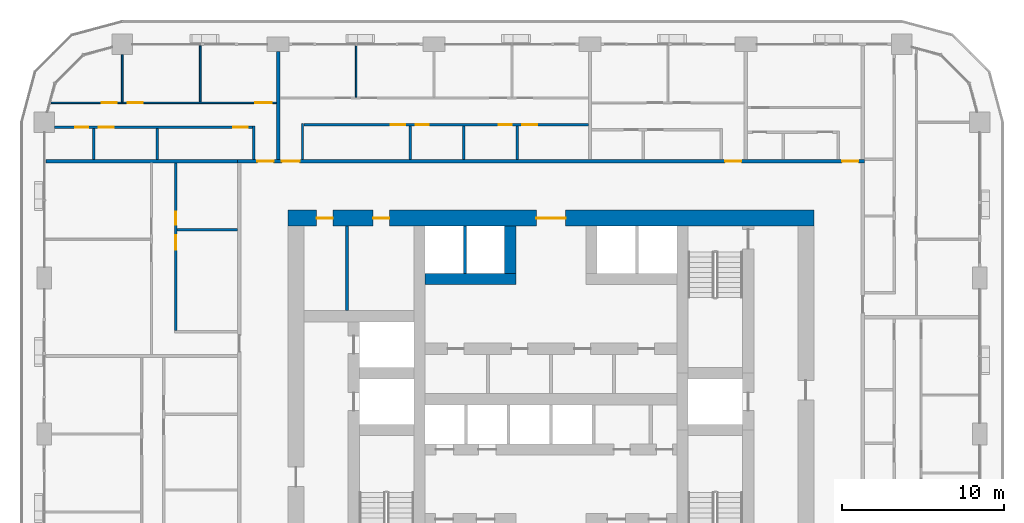
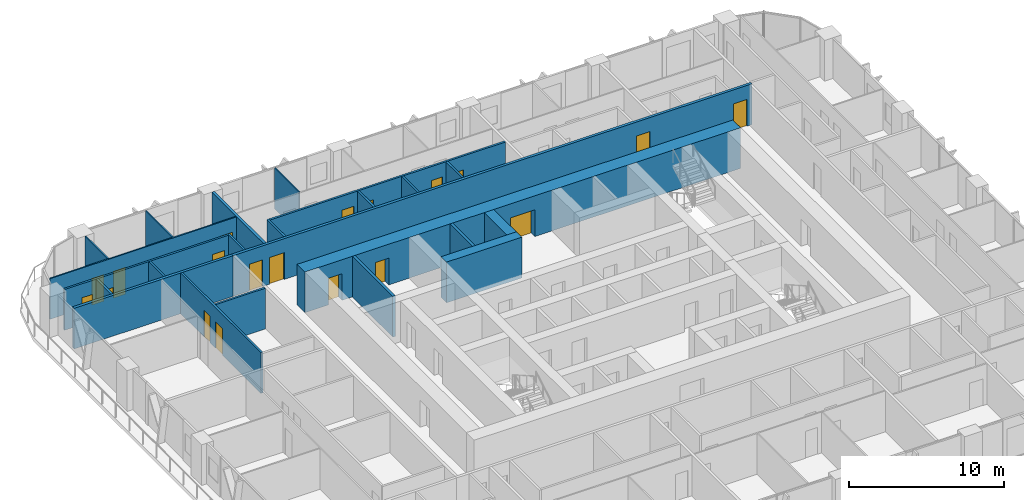
# One storey, part 13 of 21: 23 walls, 19 doors, 19 openings.
"""IFC4 building model written with IfcOpenShell, lengths in metres."""

from ifc_helpers import new_model, si_unit, direction, frame, frame_2d, origin, place, context, subcontext, project, spatial, rectangle, extrude, material, layer, layer_set, type_object, element, fill, save


model = new_model("IFC4")

# Units and contexts
model_context = context("Model", 3, precision=1e-05, world=origin(), true_north=direction((0.0, 1.0)))
body_context = subcontext(model_context, "Body", "Model", "MODEL_VIEW")
ifc_project = project(units=[si_unit("LENGTHUNIT", "METRE"), si_unit("AREAUNIT", "SQUARE_METRE"), si_unit("VOLUMEUNIT", "CUBIC_METRE"), si_unit("PLANEANGLEUNIT", "RADIAN"), si_unit("MASSUNIT", "GRAM", prefix="KILO")], contexts=[model_context])

# Site, building, storey
site_placement = place(None, origin())
site = spatial("IfcSite", under=ifc_project, at=site_placement, CompositionType="ELEMENT")
building_placement = place(site_placement, origin())
building = spatial("IfcBuilding", under=site, at=building_placement, Name="Madar Terraces", CompositionType="ELEMENT")
storey_placement = place(building_placement, frame((0.0, 0.0, 36.39990234375)))
storey = spatial("IfcBuildingStorey", under=building, at=storey_placement, Name="L08", CompositionType="ELEMENT", Elevation=36.39990234375)

# Walls
ifc_material_1 = material(Name="Concrete C80/95", Category="concrete")
ifc_layer_1 = layer(ifc_material_1, 0.699951171875)
ifc_layer_set_1 = layer_set([ifc_layer_1], Name="Concrete C80/95 (CIW1 RC wall 700)")
wall_type_1 = type_object("IfcWallType", Name="CIW1 RC wall 700", PredefinedType="SHEAR", material=ifc_layer_set_1)
wall_1_placement = place(storey_placement, frame((23.449951171875, 33.550048828125, 0.0), z_axis=(0.0, 0.0, 1.0), x_axis=(1.0, 0.0, 0.0)))
element("IfcWall", 1, at=wall_1_placement, inside=storey, type_object=wall_type_1, Name="CORE SHAFT WALL", PredefinedType="SHEAR", context=body_context, shape_type="SweptSolid", body=[
    extrude(rectangle(XDim=5.60009765625, YDim=0.699951171875, at=frame_2d((2.800048828125, 0.0))), origin(), (0.0, 0.0, 1.0), 3.2001953125),
])
wall_2_placement = place(storey_placement, frame((28.699951171875, 33.89990234375, 0.0), z_axis=(0.0, 0.0, 1.0), x_axis=(0.0, 1.0, 0.0)))
element("IfcWall", 2, at=wall_2_placement, inside=storey, type_object=wall_type_1, Name="CORE SHAFT WALL", PredefinedType="SHEAR", context=body_context, shape_type="SweptSolid", body=[
    extrude(rectangle(XDim=2.900146484375, YDim=0.699951171875, at=frame_2d((1.4501953125, 0.0))), origin(), (0.0, 0.0, 1.0), 3.2001953125),
])

# Wall, openings, doors
ifc_material_2 = material(Name="Concrete C80/95", Category="concrete")
ifc_layer_2 = layer(ifc_material_2, 1.0)
ifc_layer_set_2 = layer_set([ifc_layer_2], Name="Concrete C80/95 (CRW1 RC wall 1000)")
wall_type_2 = type_object("IfcWallType", Name="CRW1 RC wall 1000", PredefinedType="SHEAR", material=ifc_layer_set_2)
wall_3_placement = place(storey_placement, frame((15.0, 37.300048828125, 0.0), z_axis=(0.0, 0.0, 1.0), x_axis=(1.0, 0.0, 0.0)))
wall_3 = element("IfcWall", 3, at=wall_3_placement, inside=storey, type_object=wall_type_2, Name="CORE OUTER WALL", PredefinedType="SHEAR", context=body_context, shape_type="SweptSolid", body=[
    extrude(rectangle(XDim=32.39990234375, YDim=1.0, at=frame_2d((16.199951171875, 0.0))), origin(), (0.0, 0.0, 1.0), 3.2001953125),
])
opening_1_placement = place(wall_3_placement, frame((15.300048828125, 0.0, 0.0)))
opening_1 = element("IfcOpeningElement", 4, at=opening_1_placement, cuts=wall_3, Name="Opening KD1", PredefinedType="OPENING", context=body_context, shape_type="SweptSolid", body=[
    extrude(rectangle(XDim=1.800048828125, YDim=2.10009765625, at=frame_2d((0.89990234375, 1.050048828125))), frame((0.0, 0.510009765625, 0.0), z_axis=(0.0, -1.0, 0.0), x_axis=(1.0, 0.0, 0.0)), (0.0, 0.0, 1.0), 1.02001953125),
])
opening_2_placement = place(wall_3_placement, frame((1.766357421875, 0.0, 0.0)))
opening_2 = element("IfcOpeningElement", 5, at=opening_2_placement, cuts=wall_3, Name="Opening KD2", PredefinedType="OPENING", context=body_context, shape_type="SweptSolid", body=[
    extrude(rectangle(XDim=1.0, YDim=2.10009765625, at=frame_2d((0.5, 1.050048828125))), frame((0.0, 0.510009765625, 0.0), z_axis=(0.0, -1.0, 0.0), x_axis=(1.0, 0.0, 0.0)), (0.0, 0.0, 1.0), 1.02001953125),
])
opening_3_placement = place(wall_3_placement, frame((5.2412109375, 0.0, 0.0)))
opening_3 = element("IfcOpeningElement", 6, at=opening_3_placement, cuts=wall_3, Name="Opening KD2", PredefinedType="OPENING", context=body_context, shape_type="SweptSolid", body=[
    extrude(rectangle(XDim=1.0, YDim=2.10009765625, at=frame_2d((0.5, 1.050048828125))), frame((0.0, 0.510009765625, 0.0), z_axis=(0.0, -1.0, 0.0), x_axis=(1.0, 0.0, 0.0)), (0.0, 0.0, 1.0), 1.02001953125),
])
ifc_material_3 = material(Name="Steel door leaf", Category="steel")
door_type_1 = type_object("IfcDoorType", Name="Lobby door pair 1800 x 2100", OperationType="DOUBLE_DOOR_SINGLE_SWING", PredefinedType="DOOR", material=ifc_material_3)
door_1_placement = place(opening_1_placement, origin())
door_1 = element("IfcDoor", 7, at=door_1_placement, inside=storey, type_object=door_type_1, Name="LIFT LOBBY DOOR", OperationType="DOUBLE_DOOR_SINGLE_SWING", OverallHeight=2.10009765625, OverallWidth=1.800048828125, PredefinedType="DOOR", context=body_context, shape_type="SweptSolid", body=[
    extrude(rectangle(XDim=1.800048828125, YDim=2.10009765625, at=frame_2d((0.89990234375, 1.050048828125))), frame((0.0, 0.02490234375, 0.0), z_axis=(0.0, -1.0, 0.0), x_axis=(1.0, 0.0, 0.0)), (0.0, 0.0, 1.0), 0.050048828125),
])
fill(opening_1, door_1)
ifc_material_4 = material(Name="Steel door leaf", Category="steel")
door_type_2 = type_object("IfcDoorType", Name="Service room door 1000 x 2100", OperationType="NOTDEFINED", PredefinedType="DOOR", material=ifc_material_4)
door_2_placement = place(opening_2_placement, origin())
door_2 = element("IfcDoor", 8, at=door_2_placement, inside=storey, type_object=door_type_2, Name="SERVICE ROOM DOOR", OperationType="SINGLE_SWING_LEFT", OverallHeight=2.10009765625, OverallWidth=1.0, PredefinedType="DOOR", context=body_context, shape_type="SweptSolid", body=[
    extrude(rectangle(XDim=1.0, YDim=2.10009765625, at=frame_2d((0.5, 1.050048828125))), frame((0.0, 0.02490234375, 0.0), z_axis=(0.0, -1.0, 0.0), x_axis=(1.0, 0.0, 0.0)), (0.0, 0.0, 1.0), 0.050048828125),
])
fill(opening_2, door_2)
door_3_placement = place(opening_3_placement, origin())
door_3 = element("IfcDoor", 9, at=door_3_placement, inside=storey, type_object=door_type_2, Name="SERVICE ROOM DOOR", OperationType="SINGLE_SWING_RIGHT", OverallHeight=2.10009765625, OverallWidth=1.0, PredefinedType="DOOR", context=body_context, shape_type="SweptSolid", body=[
    extrude(rectangle(XDim=1.0, YDim=2.10009765625, at=frame_2d((0.5, 1.050048828125))), frame((0.0, 0.02490234375, 0.0), z_axis=(0.0, -1.0, 0.0), x_axis=(1.0, 0.0, 0.0)), (0.0, 0.0, 1.0), 0.050048828125),
])
fill(opening_3, door_3)

# Walls
ifc_material_5 = material(Name="Masonry blockwork", Category="masonry")
ifc_layer_3 = layer(ifc_material_5, 0.199951171875)
ifc_layer_set_3 = layer_set([ifc_layer_3], Name="Core partition 200 blockwork")
wall_type_3 = type_object("IfcWallType", Name="Core partition 200 blockwork", PredefinedType="PARTITIONING", material=ifc_layer_set_3)
wall_4_placement = place(storey_placement, frame((18.632568359375, 31.60009765625, 0.0), z_axis=(0.0, 0.0, 1.0), x_axis=(0.0, 1.0, 0.0)))
element("IfcWall", 10, at=wall_4_placement, inside=storey, type_object=wall_type_3, Name="SERVICE ROOM PARTITION", PredefinedType="PARTITIONING", context=body_context, shape_type="SweptSolid", body=[
    extrude(rectangle(XDim=5.199951171875, YDim=0.199951171875, at=frame_2d((2.60009765625, 0.0))), origin(), (0.0, 0.0, 1.0), 3.2001953125),
])
ifc_material_6 = material(Name="Concrete C40/50", Category="concrete")
ifc_layer_4 = layer(ifc_material_6, 0.199951171875)
ifc_layer_set_4 = layer_set([ifc_layer_4], Name="Core shaft dividing wall 200 C40/50")
wall_type_4 = type_object("IfcWallType", Name="Core shaft dividing wall 200 C40/50", PredefinedType="SOLIDWALL", material=ifc_layer_set_4)
wall_5_placement = place(storey_placement, frame((25.89990234375, 33.89990234375, 0.0), z_axis=(0.0, 0.0, 1.0), x_axis=(0.0, 1.0, 0.0)))
element("IfcWall", 11, at=wall_5_placement, inside=storey, type_object=wall_type_4, Name="SHAFT DIVIDING WALL", PredefinedType="SOLIDWALL", context=body_context, shape_type="SweptSolid", body=[
    extrude(rectangle(XDim=2.900146484375, YDim=0.199951171875, at=frame_2d((1.4501953125, 0.0))), origin(), (0.0, 0.0, 1.0), 3.2001953125),
])
ifc_material_7 = material(Name="Gypsum board on steel studs", Category="steel")
ifc_layer_5 = layer(ifc_material_7, 0.10009765625)
ifc_layer_set_5 = layer_set([ifc_layer_5], Name="Flat partition 100")
wall_type_5 = type_object("IfcWallType", Name="Flat partition 100", PredefinedType="PARTITIONING", material=ifc_layer_set_5)
wall_6_placement = place(storey_placement, frame((19.199951171875, 44.75, 0.0), z_axis=(0.0, 0.0, 1.0), x_axis=(0.0, 1.0, 0.0)))
element("IfcWall", 12, at=wall_6_placement, inside=storey, type_object=wall_type_5, Name="Flat partition 100", PredefinedType="PARTITIONING", context=body_context, shape_type="SweptSolid", body=[
    extrude(rectangle(XDim=3.14990234375, YDim=0.10009765625, at=frame_2d((1.574951171875, 0.0))), origin(), (0.0, 0.0, 1.0), 3.2001953125),
])
wall_7_placement = place(storey_placement, frame((9.60009765625, 44.449951171875, 0.0), z_axis=(0.0, 0.0, 1.0), x_axis=(0.0, 1.0, 0.0)))
element("IfcWall", 13, at=wall_7_placement, inside=storey, type_object=wall_type_5, Name="Flat partition 100", PredefinedType="PARTITIONING", context=body_context, shape_type="SweptSolid", body=[
    extrude(rectangle(XDim=3.449951171875, YDim=0.10009765625, at=frame_2d((1.72509765625, 0.0))), origin(), (0.0, 0.0, 1.0), 3.2001953125),
])
wall_8_placement = place(storey_placement, frame((4.800048828125, 44.449951171875, 0.0), z_axis=(0.0, 0.0, 1.0), x_axis=(0.0, 1.0, 0.0)))
element("IfcWall", 14, at=wall_8_placement, inside=storey, type_object=wall_type_5, Name="Flat partition 100", PredefinedType="PARTITIONING", context=body_context, shape_type="SweptSolid", body=[
    extrude(rectangle(XDim=2.925048828125, YDim=0.10009765625, at=frame_2d((1.46240234375, 0.0))), origin(), (0.0, 0.0, 1.0), 3.2001953125),
])

# Wall, openings, doors
wall_9_placement = place(storey_placement, frame((0.42138671875, 44.39990234375, 0.0), z_axis=(0.0, 0.0, 1.0), x_axis=(1.0, 0.0, 0.0)))
wall_9 = element("IfcWall", 15, at=wall_9_placement, inside=storey, type_object=wall_type_5, Name="Flat partition 100", PredefinedType="PARTITIONING", context=body_context, shape_type="SweptSolid", body=[
    extrude(rectangle(XDim=13.878662109375, YDim=0.10009765625, at=frame_2d((6.939453125, 0.0))), origin(), (0.0, 0.0, 1.0), 3.2001953125),
])
opening_4_placement = place(wall_9_placement, frame((12.57861328125, 0.0, 0.0)))
opening_4 = element("IfcOpeningElement", 16, at=opening_4_placement, cuts=wall_9, Name="Opening D3", PredefinedType="OPENING", context=body_context, shape_type="SweptSolid", body=[
    extrude(rectangle(XDim=1.0, YDim=2.10009765625, at=frame_2d((0.5, 1.050048828125))), frame((0.0, 0.06005859375, 0.0), z_axis=(0.0, -1.0, 0.0), x_axis=(1.0, 0.0, 0.0)), (0.0, 0.0, 1.0), 0.1201171875),
])
opening_5_placement = place(wall_9_placement, frame((4.728515625, 0.0, 0.0)))
opening_5 = element("IfcOpeningElement", 17, at=opening_5_placement, cuts=wall_9, Name="Opening D2", PredefinedType="OPENING", context=body_context, shape_type="SweptSolid", body=[
    extrude(rectangle(XDim=0.89990234375, YDim=2.10009765625, at=frame_2d((0.449951171875, 1.050048828125))), frame((0.0, 0.06005859375, 0.0), z_axis=(0.0, -1.0, 0.0), x_axis=(1.0, 0.0, 0.0)), (0.0, 0.0, 1.0), 0.1201171875),
])
opening_6_placement = place(wall_9_placement, frame((3.12841796875, 0.0, 0.0)))
opening_6 = element("IfcOpeningElement", 18, at=opening_6_placement, cuts=wall_9, Name="Opening D2", PredefinedType="OPENING", context=body_context, shape_type="SweptSolid", body=[
    extrude(rectangle(XDim=0.89990234375, YDim=2.10009765625, at=frame_2d((0.449951171875, 1.050048828125))), frame((0.0, 0.06005859375, 0.0), z_axis=(0.0, -1.0, 0.0), x_axis=(1.0, 0.0, 0.0)), (0.0, 0.0, 1.0), 0.1201171875),
])
ifc_material_8 = material(Name="Timber door leaf", Category="wood")
door_type_3 = type_object("IfcDoorType", Name="Flat living room door 1000", OperationType="NOTDEFINED", PredefinedType="DOOR", material=ifc_material_8)
door_4_placement = place(opening_4_placement, origin())
door_4 = element("IfcDoor", 19, at=door_4_placement, inside=storey, type_object=door_type_3, Name="Flat living room door 1000", OperationType="SINGLE_SWING_RIGHT", OverallHeight=2.10009765625, OverallWidth=1.0, PredefinedType="DOOR", context=body_context, shape_type="SweptSolid", body=[
    extrude(rectangle(XDim=1.0, YDim=2.10009765625, at=frame_2d((0.5, 1.050048828125))), frame((0.0, 0.02490234375, 0.0), z_axis=(0.0, -1.0, 0.0), x_axis=(1.0, 0.0, 0.0)), (0.0, 0.0, 1.0), 0.050048828125),
])
fill(opening_4, door_4)
ifc_material_9 = material(Name="Timber door leaf", Category="wood")
door_type_4 = type_object("IfcDoorType", Name="Flat room door 900", OperationType="NOTDEFINED", PredefinedType="DOOR", material=ifc_material_9)
door_5_placement = place(opening_5_placement, origin())
door_5 = element("IfcDoor", 20, at=door_5_placement, inside=storey, type_object=door_type_4, Name="Flat room door 900", OperationType="SINGLE_SWING_LEFT", OverallHeight=2.10009765625, OverallWidth=0.89990234375, PredefinedType="DOOR", context=body_context, shape_type="SweptSolid", body=[
    extrude(rectangle(XDim=0.89990234375, YDim=2.10009765625, at=frame_2d((0.449951171875, 1.050048828125))), frame((0.0, 0.02490234375, 0.0), z_axis=(0.0, -1.0, 0.0), x_axis=(1.0, 0.0, 0.0)), (0.0, 0.0, 1.0), 0.050048828125),
])
fill(opening_5, door_5)
door_6_placement = place(opening_6_placement, origin())
door_6 = element("IfcDoor", 21, at=door_6_placement, inside=storey, type_object=door_type_4, Name="Flat room door 900", OperationType="SINGLE_SWING_RIGHT", OverallHeight=2.10009765625, OverallWidth=0.89990234375, PredefinedType="DOOR", context=body_context, shape_type="SweptSolid", body=[
    extrude(rectangle(XDim=0.89990234375, YDim=2.10009765625, at=frame_2d((0.449951171875, 1.050048828125))), frame((0.0, 0.02490234375, 0.0), z_axis=(0.0, -1.0, 0.0), x_axis=(1.0, 0.0, 0.0)), (0.0, 0.0, 1.0), 0.050048828125),
])
fill(opening_6, door_6)

ifc_material_10 = material(Name="Lightweight blockwork", Category="masonry")
ifc_layer_6 = layer(ifc_material_10, 0.199951171875)
ifc_layer_set_6 = layer_set([ifc_layer_6], Name="Flat party and entrance wall 200")
wall_type_6 = type_object("IfcWallType", Name="Flat party and entrance wall 200", PredefinedType="PARTITIONING", material=ifc_layer_set_6)
wall_10_placement = place(storey_placement, frame((11.89990234375, 40.800048828125, 0.0), z_axis=(0.0, 0.0, 1.0), x_axis=(1.0, 0.0, 0.0)))
wall_10 = element("IfcWall", 22, at=wall_10_placement, inside=storey, type_object=wall_type_6, Name="Flat party and entrance wall 200", PredefinedType="PARTITIONING", context=body_context, shape_type="SweptSolid", body=[
    extrude(rectangle(XDim=38.60009765625, YDim=0.199951171875, at=frame_2d((19.300048828125, 0.0))), origin(), (0.0, 0.0, 1.0), 3.2001953125),
])
opening_7_placement = place(wall_10_placement, frame((37.22509765625, 0.0, 0.0)))
opening_7 = element("IfcOpeningElement", 23, at=opening_7_placement, cuts=wall_10, Name="Opening D1", PredefinedType="OPENING", context=body_context, shape_type="SweptSolid", body=[
    extrude(rectangle(XDim=1.0, YDim=2.10009765625, at=frame_2d((0.5, 1.050048828125))), frame((0.0, 0.10986328125, 0.0), z_axis=(0.0, -1.0, 0.0), x_axis=(1.0, 0.0, 0.0)), (0.0, 0.0, 1.0), 0.219970703125),
])
opening_8_placement = place(wall_10_placement, frame((30.02490234375, 0.0, 0.0)))
opening_8 = element("IfcOpeningElement", 24, at=opening_8_placement, cuts=wall_10, Name="Opening D1", PredefinedType="OPENING", context=body_context, shape_type="SweptSolid", body=[
    extrude(rectangle(XDim=1.0, YDim=2.10009765625, at=frame_2d((0.5, 1.050048828125))), frame((0.0, 0.10986328125, 0.0), z_axis=(0.0, -1.0, 0.0), x_axis=(1.0, 0.0, 0.0)), (0.0, 0.0, 1.0), 0.219970703125),
])
opening_9_placement = place(wall_10_placement, frame((2.72509765625, 0.0, 0.0)))
opening_9 = element("IfcOpeningElement", 25, at=opening_9_placement, cuts=wall_10, Name="Opening D6", PredefinedType="OPENING", context=body_context, shape_type="SweptSolid", body=[
    extrude(rectangle(XDim=1.10009765625, YDim=2.10009765625, at=frame_2d((0.550048828125, 1.050048828125))), frame((0.0, 0.10986328125, 0.0), z_axis=(0.0, -1.0, 0.0), x_axis=(1.0, 0.0, 0.0)), (0.0, 0.0, 1.0), 0.219970703125),
])
opening_10_placement = place(wall_10_placement, frame((1.22509765625, 0.0, 0.0)))
opening_10 = element("IfcOpeningElement", 26, at=opening_10_placement, cuts=wall_10, Name="Opening D1", PredefinedType="OPENING", context=body_context, shape_type="SweptSolid", body=[
    extrude(rectangle(XDim=1.0, YDim=2.10009765625, at=frame_2d((0.5, 1.050048828125))), frame((0.0, 0.10986328125, 0.0), z_axis=(0.0, -1.0, 0.0), x_axis=(1.0, 0.0, 0.0)), (0.0, 0.0, 1.0), 0.219970703125),
])
ifc_material_11 = material(Name="Timber fire door leaf", Category="wood")
door_type_5 = type_object("IfcDoorType", Name="Flat entrance door 1000 FD30S", OperationType="NOTDEFINED", PredefinedType="DOOR", material=ifc_material_11)
door_7_placement = place(opening_7_placement, origin())
door_7 = element("IfcDoor", 27, at=door_7_placement, inside=storey, type_object=door_type_5, Name="Flat entrance door 1000 FD30S", OperationType="SINGLE_SWING_RIGHT", OverallHeight=2.10009765625, OverallWidth=1.0, PredefinedType="DOOR", context=body_context, shape_type="SweptSolid", body=[
    extrude(rectangle(XDim=1.0, YDim=2.10009765625, at=frame_2d((0.5, 1.050048828125))), frame((0.0, 0.02490234375, 0.0), z_axis=(0.0, -1.0, 0.0), x_axis=(1.0, 0.0, 0.0)), (0.0, 0.0, 1.0), 0.050048828125),
])
fill(opening_7, door_7)
door_8_placement = place(opening_8_placement, origin())
door_8 = element("IfcDoor", 28, at=door_8_placement, inside=storey, type_object=door_type_5, Name="Flat entrance door 1000 FD30S", OperationType="SINGLE_SWING_RIGHT", OverallHeight=2.10009765625, OverallWidth=1.0, PredefinedType="DOOR", context=body_context, shape_type="SweptSolid", body=[
    extrude(rectangle(XDim=1.0, YDim=2.10009765625, at=frame_2d((0.5, 1.050048828125))), frame((0.0, 0.02490234375, 0.0), z_axis=(0.0, -1.0, 0.0), x_axis=(1.0, 0.0, 0.0)), (0.0, 0.0, 1.0), 0.050048828125),
])
fill(opening_8, door_8)
door_9_placement = place(opening_10_placement, origin())
door_9 = element("IfcDoor", 29, at=door_9_placement, inside=storey, type_object=door_type_5, Name="Flat entrance door 1000 FD30S", OperationType="SINGLE_SWING_RIGHT", OverallHeight=2.10009765625, OverallWidth=1.0, PredefinedType="DOOR", context=body_context, shape_type="SweptSolid", body=[
    extrude(rectangle(XDim=1.0, YDim=2.10009765625, at=frame_2d((0.5, 1.050048828125))), frame((0.0, 0.02490234375, 0.0), z_axis=(0.0, -1.0, 0.0), x_axis=(1.0, 0.0, 0.0)), (0.0, 0.0, 1.0), 0.050048828125),
])
fill(opening_10, door_9)
ifc_material_12 = material(Name="Timber fire door leaf", Category="wood")
door_type_6 = type_object("IfcDoorType", Name="Flat entrance door 1100 FD30S", OperationType="NOTDEFINED", PredefinedType="DOOR", material=ifc_material_12)
door_10_placement = place(opening_9_placement, origin())
door_10 = element("IfcDoor", 30, at=door_10_placement, inside=storey, type_object=door_type_6, Name="Flat entrance door 1100 FD30S", OperationType="SINGLE_SWING_LEFT", OverallHeight=2.10009765625, OverallWidth=1.10009765625, PredefinedType="DOOR", context=body_context, shape_type="SweptSolid", body=[
    extrude(rectangle(XDim=1.10009765625, YDim=2.10009765625, at=frame_2d((0.550048828125, 1.050048828125))), frame((0.0, 0.02490234375, 0.0), z_axis=(0.0, -1.0, 0.0), x_axis=(1.0, 0.0, 0.0)), (0.0, 0.0, 1.0), 0.050048828125),
])
fill(opening_9, door_10)

# Walls
wall_11_placement = place(storey_placement, frame((14.39990234375, 47.550048828125, 0.0), z_axis=(0.0, 0.0, 1.0), x_axis=(0.0, -1.0, 0.0)))
element("IfcWall", 31, at=wall_11_placement, inside=storey, type_object=wall_type_6, Name="Flat party and entrance wall 200", PredefinedType="PARTITIONING", context=body_context, shape_type="SweptSolid", body=[
    extrude(rectangle(XDim=6.650146484375, YDim=0.199951171875, at=frame_2d((3.3251953125, 0.0))), origin(), (0.0, 0.0, 1.0), 3.2001953125),
])
wall_12_placement = place(storey_placement, frame((0.10009765625, 40.800048828125, 0.0), z_axis=(0.0, 0.0, 1.0), x_axis=(1.0, 0.0, 0.0)))
element("IfcWall", 32, at=wall_12_placement, inside=storey, type_object=wall_type_6, Name="Flat party and entrance wall 200", PredefinedType="PARTITIONING", context=body_context, shape_type="SweptSolid", body=[
    extrude(rectangle(XDim=11.7998046875, YDim=0.199951171875, at=frame_2d((5.89990234375, 0.0))), origin(), (0.0, 0.0, 1.0), 3.2001953125),
])
ifc_material_13 = material(Name="Lightweight blockwork", Category="masonry")
ifc_layer_7 = layer(ifc_material_13, 0.14990234375)
ifc_layer_set_7 = layer_set([ifc_layer_7], Name="Flat wet-room partition 150")
wall_type_7 = type_object("IfcWallType", Name="Flat wet-room partition 150", PredefinedType="PARTITIONING", material=ifc_layer_set_7)
for number, where, z_axis, x_axis, name in (
    (33, (22.546875, 40.89990234375, 0.0), (0.0, 0.0, 1.0), (0.0, 1.0, 0.0), "Flat wet-room partition 150"),
    (34, (25.832763671875, 40.89990234375, 0.0), (0.0, 0.0, 1.0), (0.0, 1.0, 0.0), "Flat wet-room partition 150"),
    (35, (29.11865234375, 40.89990234375, 0.0), (0.0, 0.0, 1.0), (0.0, 1.0, 0.0), "Flat wet-room partition 150"),
):
    element("IfcWall", number, at=place(storey_placement, frame(where, z_axis=z_axis, x_axis=x_axis)), inside=storey, type_object=wall_type_7, Name=name, PredefinedType="PARTITIONING", context=body_context, shape_type="SweptSolid", body=[
        extrude(rectangle(XDim=2.0751953125, YDim=0.14990234375, at=frame_2d((1.03759765625, 0.0))), origin(), (0.0, 0.0, 1.0), 3.2001953125),
    ])
wall_13_placement = place(storey_placement, frame((15.89990234375, 40.89990234375, 0.0), z_axis=(0.0, 0.0, 1.0), x_axis=(0.0, 1.0, 0.0)))
element("IfcWall", 36, at=wall_13_placement, inside=storey, type_object=wall_type_7, Name="Flat wet-room partition 150", PredefinedType="PARTITIONING", context=body_context, shape_type="SweptSolid", body=[
    extrude(rectangle(XDim=2.22509765625, YDim=0.14990234375, at=frame_2d((1.112548828125, 0.0))), origin(), (0.0, 0.0, 1.0), 3.2001953125),
])

# Wall, openings, doors
wall_14_placement = place(storey_placement, frame((33.5, 43.050048828125, 0.0), z_axis=(0.0, 0.0, 1.0), x_axis=(-1.0, 0.0, 0.0)))
wall_14 = element("IfcWall", 37, at=wall_14_placement, inside=storey, type_object=wall_type_7, Name="Flat wet-room partition 150", PredefinedType="PARTITIONING", context=body_context, shape_type="SweptSolid", body=[
    extrude(rectangle(XDim=17.52490234375, YDim=0.14990234375, at=frame_2d((8.762451171875, 0.0))), origin(), (0.0, 0.0, 1.0), 3.2001953125),
])
opening_11_placement = place(wall_14_placement, frame((11.278076171875, 0.0, 0.0)))
opening_11 = element("IfcOpeningElement", 38, at=opening_11_placement, cuts=wall_14, Name="Opening D2", PredefinedType="OPENING", context=body_context, shape_type="SweptSolid", body=[
    extrude(rectangle(XDim=0.89990234375, YDim=2.10009765625, at=frame_2d((0.449951171875, 1.050048828125))), frame((0.0, 0.0849609375, 0.0), z_axis=(0.0, -1.0, 0.0), x_axis=(1.0, 0.0, 0.0)), (0.0, 0.0, 1.0), 0.169921875),
])
opening_12_placement = place(wall_14_placement, frame((9.828125, 0.0, 0.0)))
opening_12 = element("IfcOpeningElement", 39, at=opening_12_placement, cuts=wall_14, Name="Opening D4", PredefinedType="OPENING", context=body_context, shape_type="SweptSolid", body=[
    extrude(rectangle(XDim=0.800048828125, YDim=2.10009765625, at=frame_2d((0.39990234375, 1.050048828125))), frame((0.0, 0.0849609375, 0.0), z_axis=(0.0, -1.0, 0.0), x_axis=(1.0, 0.0, 0.0)), (0.0, 0.0, 1.0), 0.169921875),
])
opening_13_placement = place(wall_14_placement, frame((4.706298828125, 0.0, 0.0)))
opening_13 = element("IfcOpeningElement", 40, at=opening_13_placement, cuts=wall_14, Name="Opening D7", PredefinedType="OPENING", context=body_context, shape_type="SweptSolid", body=[
    extrude(rectangle(XDim=0.800048828125, YDim=2.10009765625, at=frame_2d((0.39990234375, 1.050048828125))), frame((0.0, 0.0849609375, 0.0), z_axis=(0.0, -1.0, 0.0), x_axis=(1.0, 0.0, 0.0)), (0.0, 0.0, 1.0), 0.169921875),
])
opening_14_placement = place(wall_14_placement, frame((3.15625, 0.0, 0.0)))
opening_14 = element("IfcOpeningElement", 41, at=opening_14_placement, cuts=wall_14, Name="Opening D5", PredefinedType="OPENING", context=body_context, shape_type="SweptSolid", body=[
    extrude(rectangle(XDim=0.89990234375, YDim=2.10009765625, at=frame_2d((0.449951171875, 1.050048828125))), frame((0.0, 0.0849609375, 0.0), z_axis=(0.0, -1.0, 0.0), x_axis=(1.0, 0.0, 0.0)), (0.0, 0.0, 1.0), 0.169921875),
])
ifc_material_14 = material(Name="Timber door leaf", Category="wood")
door_type_7 = type_object("IfcDoorType", Name="Flat accessible bathroom door 900", OperationType="NOTDEFINED", PredefinedType="DOOR", material=ifc_material_14)
door_11_placement = place(opening_14_placement, origin())
door_11 = element("IfcDoor", 42, at=door_11_placement, inside=storey, type_object=door_type_7, Name="Flat accessible bathroom door 900", OperationType="SINGLE_SWING_RIGHT", OverallHeight=2.10009765625, OverallWidth=0.89990234375, PredefinedType="DOOR", context=body_context, shape_type="SweptSolid", body=[
    extrude(rectangle(XDim=0.89990234375, YDim=2.10009765625, at=frame_2d((0.449951171875, 1.050048828125))), frame((0.0, 0.02490234375, 0.0), z_axis=(0.0, -1.0, 0.0), x_axis=(1.0, 0.0, 0.0)), (0.0, 0.0, 1.0), 0.050048828125),
])
fill(opening_14, door_11)
ifc_material_15 = material(Name="Timber door leaf", Category="wood")
door_type_8 = type_object("IfcDoorType", Name="Flat bathroom door 800", OperationType="NOTDEFINED", PredefinedType="DOOR", material=ifc_material_15)
door_12_placement = place(opening_12_placement, origin())
door_12 = element("IfcDoor", 43, at=door_12_placement, inside=storey, type_object=door_type_8, Name="Flat bathroom door 800", OperationType="SINGLE_SWING_RIGHT", OverallHeight=2.10009765625, OverallWidth=0.800048828125, PredefinedType="DOOR", context=body_context, shape_type="SweptSolid", body=[
    extrude(rectangle(XDim=0.800048828125, YDim=2.10009765625, at=frame_2d((0.39990234375, 1.050048828125))), frame((0.0, 0.02490234375, 0.0), z_axis=(0.0, -1.0, 0.0), x_axis=(1.0, 0.0, 0.0)), (0.0, 0.0, 1.0), 0.050048828125),
])
fill(opening_12, door_12)
door_13_placement = place(opening_11_placement, origin())
door_13 = element("IfcDoor", 44, at=door_13_placement, inside=storey, type_object=door_type_4, Name="Flat room door 900", OperationType="SINGLE_SWING_LEFT", OverallHeight=2.10009765625, OverallWidth=0.89990234375, PredefinedType="DOOR", context=body_context, shape_type="SweptSolid", body=[
    extrude(rectangle(XDim=0.89990234375, YDim=2.10009765625, at=frame_2d((0.449951171875, 1.050048828125))), frame((0.0, 0.02490234375, 0.0), z_axis=(0.0, -1.0, 0.0), x_axis=(1.0, 0.0, 0.0)), (0.0, 0.0, 1.0), 0.050048828125),
])
fill(opening_11, door_13)
ifc_material_16 = material(Name="Timber door leaf", Category="wood")
door_type_9 = type_object("IfcDoorType", Name="Flat utility door 800", OperationType="NOTDEFINED", PredefinedType="DOOR", material=ifc_material_16)
door_14_placement = place(opening_13_placement, origin())
door_14 = element("IfcDoor", 45, at=door_14_placement, inside=storey, type_object=door_type_9, Name="Flat utility door 800", OperationType="SINGLE_SWING_LEFT", OverallHeight=2.10009765625, OverallWidth=0.800048828125, PredefinedType="DOOR", context=body_context, shape_type="SweptSolid", body=[
    extrude(rectangle(XDim=0.800048828125, YDim=2.10009765625, at=frame_2d((0.39990234375, 1.050048828125))), frame((0.0, 0.02490234375, 0.0), z_axis=(0.0, -1.0, 0.0), x_axis=(1.0, 0.0, 0.0)), (0.0, 0.0, 1.0), 0.050048828125),
])
fill(opening_13, door_14)

# Walls
for number, where, z_axis, x_axis, name in (
    (46, (6.951904296875, 40.89990234375, 0.0), (0.0, 0.0, 1.0), (0.0, 1.0, 0.0), "Flat wet-room partition 150"),
    (47, (3.03662109375, 40.89990234375, 0.0), (0.0, 0.0, 1.0), (0.0, 1.0, 0.0), "Flat wet-room partition 150"),
):
    element("IfcWall", number, at=place(storey_placement, frame(where, z_axis=z_axis, x_axis=x_axis)), inside=storey, type_object=wall_type_7, Name=name, PredefinedType="PARTITIONING", context=body_context, shape_type="SweptSolid", body=[
        extrude(rectangle(XDim=1.925048828125, YDim=0.14990234375, at=frame_2d((0.96240234375, 0.0))), origin(), (0.0, 0.0, 1.0), 3.2001953125),
    ])
wall_15_placement = place(storey_placement, frame((12.89990234375, 40.89990234375, 0.0), z_axis=(0.0, 0.0, 1.0), x_axis=(0.0, 1.0, 0.0)))
element("IfcWall", 48, at=wall_15_placement, inside=storey, type_object=wall_type_7, Name="Flat wet-room partition 150", PredefinedType="PARTITIONING", context=body_context, shape_type="SweptSolid", body=[
    extrude(rectangle(XDim=2.0751953125, YDim=0.14990234375, at=frame_2d((1.03759765625, 0.0))), origin(), (0.0, 0.0, 1.0), 3.2001953125),
])

# Wall, openings, doors
wall_16_placement = place(storey_placement, frame((12.824951171875, 42.89990234375, 0.0), z_axis=(0.0, 0.0, 1.0), x_axis=(-1.0, 0.0, 0.0)))
wall_16 = element("IfcWall", 49, at=wall_16_placement, inside=storey, type_object=wall_type_7, Name="Flat wet-room partition 150", PredefinedType="PARTITIONING", context=body_context, shape_type="SweptSolid", body=[
    extrude(rectangle(XDim=12.199951171875, YDim=0.14990234375, at=frame_2d((6.10009765625, 0.0))), origin(), (0.0, 0.0, 1.0), 3.2001953125),
])
opening_15_placement = place(wall_16_placement, frame((0.300048828125, 0.0, 0.0)))
opening_15 = element("IfcOpeningElement", 50, at=opening_15_placement, cuts=wall_16, Name="Opening D2", PredefinedType="OPENING", context=body_context, shape_type="SweptSolid", body=[
    extrude(rectangle(XDim=0.89990234375, YDim=2.10009765625, at=frame_2d((0.449951171875, 1.050048828125))), frame((0.0, 0.0849609375, 0.0), z_axis=(0.0, -1.0, 0.0), x_axis=(1.0, 0.0, 0.0)), (0.0, 0.0, 1.0), 0.169921875),
])
opening_16_placement = place(wall_16_placement, frame((8.5634765625, 0.0, 0.0)))
opening_16 = element("IfcOpeningElement", 51, at=opening_16_placement, cuts=wall_16, Name="Opening D5", PredefinedType="OPENING", context=body_context, shape_type="SweptSolid", body=[
    extrude(rectangle(XDim=0.89990234375, YDim=2.10009765625, at=frame_2d((0.449951171875, 1.050048828125))), frame((0.0, 0.0849609375, 0.0), z_axis=(0.0, -1.0, 0.0), x_axis=(1.0, 0.0, 0.0)), (0.0, 0.0, 1.0), 0.169921875),
])
opening_17_placement = place(wall_16_placement, frame((10.113525390625, 0.0, 0.0)))
opening_17 = element("IfcOpeningElement", 52, at=opening_17_placement, cuts=wall_16, Name="Opening D4", PredefinedType="OPENING", context=body_context, shape_type="SweptSolid", body=[
    extrude(rectangle(XDim=0.800048828125, YDim=2.10009765625, at=frame_2d((0.39990234375, 1.050048828125))), frame((0.0, 0.0849609375, 0.0), z_axis=(0.0, -1.0, 0.0), x_axis=(1.0, 0.0, 0.0)), (0.0, 0.0, 1.0), 0.169921875),
])
door_15_placement = place(opening_16_placement, origin())
door_15 = element("IfcDoor", 53, at=door_15_placement, inside=storey, type_object=door_type_7, Name="Flat accessible bathroom door 900", OperationType="SINGLE_SWING_RIGHT", OverallHeight=2.10009765625, OverallWidth=0.89990234375, PredefinedType="DOOR", context=body_context, shape_type="SweptSolid", body=[
    extrude(rectangle(XDim=0.89990234375, YDim=2.10009765625, at=frame_2d((0.449951171875, 1.050048828125))), frame((0.0, 0.02490234375, 0.0), z_axis=(0.0, -1.0, 0.0), x_axis=(1.0, 0.0, 0.0)), (0.0, 0.0, 1.0), 0.050048828125),
])
fill(opening_16, door_15)
door_16_placement = place(opening_17_placement, origin())
door_16 = element("IfcDoor", 54, at=door_16_placement, inside=storey, type_object=door_type_8, Name="Flat bathroom door 800", OperationType="SINGLE_SWING_LEFT", OverallHeight=2.10009765625, OverallWidth=0.800048828125, PredefinedType="DOOR", context=body_context, shape_type="SweptSolid", body=[
    extrude(rectangle(XDim=0.800048828125, YDim=2.10009765625, at=frame_2d((0.39990234375, 1.050048828125))), frame((0.0, 0.02490234375, 0.0), z_axis=(0.0, -1.0, 0.0), x_axis=(1.0, 0.0, 0.0)), (0.0, 0.0, 1.0), 0.050048828125),
])
fill(opening_17, door_16)
door_17_placement = place(opening_15_placement, origin())
door_17 = element("IfcDoor", 55, at=door_17_placement, inside=storey, type_object=door_type_4, Name="Flat room door 900", OperationType="SINGLE_SWING_LEFT", OverallHeight=2.10009765625, OverallWidth=0.89990234375, PredefinedType="DOOR", context=body_context, shape_type="SweptSolid", body=[
    extrude(rectangle(XDim=0.89990234375, YDim=2.10009765625, at=frame_2d((0.449951171875, 1.050048828125))), frame((0.0, 0.02490234375, 0.0), z_axis=(0.0, -1.0, 0.0), x_axis=(1.0, 0.0, 0.0)), (0.0, 0.0, 1.0), 0.050048828125),
])
fill(opening_15, door_17)

# Wall
wall_17_placement = place(storey_placement, frame((11.89990234375, 36.570068359375, 0.0), z_axis=(0.0, 0.0, 1.0), x_axis=(-1.0, 0.0, 0.0)))
element("IfcWall", 56, at=wall_17_placement, inside=storey, type_object=wall_type_7, Name="Flat wet-room partition 150", PredefinedType="PARTITIONING", context=body_context, shape_type="SweptSolid", body=[
    extrude(rectangle(XDim=3.724853515625, YDim=0.14990234375, at=frame_2d((1.8623046875, 0.0))), origin(), (0.0, 0.0, 1.0), 3.2001953125),
])

# Wall, openings, doors
wall_18_placement = place(storey_placement, frame((8.10009765625, 40.699951171875, 0.0), z_axis=(0.0, 0.0, 1.0), x_axis=(0.0, -1.0, 0.0)))
wall_18 = element("IfcWall", 57, at=wall_18_placement, inside=storey, type_object=wall_type_7, Name="Flat wet-room partition 150", PredefinedType="PARTITIONING", context=body_context, shape_type="SweptSolid", body=[
    extrude(rectangle(XDim=10.324951171875, YDim=0.14990234375, at=frame_2d((5.16259765625, 0.0))), origin(), (0.0, 0.0, 1.0), 3.2001953125),
])
opening_18_placement = place(wall_18_placement, frame((4.455078125, 0.0, 0.0)))
opening_18 = element("IfcOpeningElement", 58, at=opening_18_placement, cuts=wall_18, Name="Opening D2", PredefinedType="OPENING", context=body_context, shape_type="SweptSolid", body=[
    extrude(rectangle(XDim=0.89990234375, YDim=2.10009765625, at=frame_2d((0.449951171875, 1.050048828125))), frame((0.0, 0.0849609375, 0.0), z_axis=(0.0, -1.0, 0.0), x_axis=(1.0, 0.0, 0.0)), (0.0, 0.0, 1.0), 0.169921875),
])
opening_19_placement = place(wall_18_placement, frame((3.0048828125, 0.0, 0.0)))
opening_19 = element("IfcOpeningElement", 59, at=opening_19_placement, cuts=wall_18, Name="Opening D4", PredefinedType="OPENING", context=body_context, shape_type="SweptSolid", body=[
    extrude(rectangle(XDim=0.800048828125, YDim=2.10009765625, at=frame_2d((0.39990234375, 1.050048828125))), frame((0.0, 0.0849609375, 0.0), z_axis=(0.0, -1.0, 0.0), x_axis=(1.0, 0.0, 0.0)), (0.0, 0.0, 1.0), 0.169921875),
])
door_18_placement = place(opening_19_placement, origin())
door_18 = element("IfcDoor", 60, at=door_18_placement, inside=storey, type_object=door_type_8, Name="Flat bathroom door 800", OperationType="SINGLE_SWING_RIGHT", OverallHeight=2.10009765625, OverallWidth=0.800048828125, PredefinedType="DOOR", context=body_context, shape_type="SweptSolid", body=[
    extrude(rectangle(XDim=0.800048828125, YDim=2.10009765625, at=frame_2d((0.39990234375, 1.050048828125))), frame((0.0, 0.02490234375, 0.0), z_axis=(0.0, -1.0, 0.0), x_axis=(1.0, 0.0, 0.0)), (0.0, 0.0, 1.0), 0.050048828125),
])
fill(opening_19, door_18)
door_19_placement = place(opening_18_placement, origin())
door_19 = element("IfcDoor", 61, at=door_19_placement, inside=storey, type_object=door_type_4, Name="Flat room door 900", OperationType="SINGLE_SWING_LEFT", OverallHeight=2.10009765625, OverallWidth=0.89990234375, PredefinedType="DOOR", context=body_context, shape_type="SweptSolid", body=[
    extrude(rectangle(XDim=0.89990234375, YDim=2.10009765625, at=frame_2d((0.449951171875, 1.050048828125))), frame((0.0, 0.02490234375, 0.0), z_axis=(0.0, -1.0, 0.0), x_axis=(1.0, 0.0, 0.0)), (0.0, 0.0, 1.0), 0.050048828125),
])
fill(opening_18, door_19)

save(model, "model.ifc")
